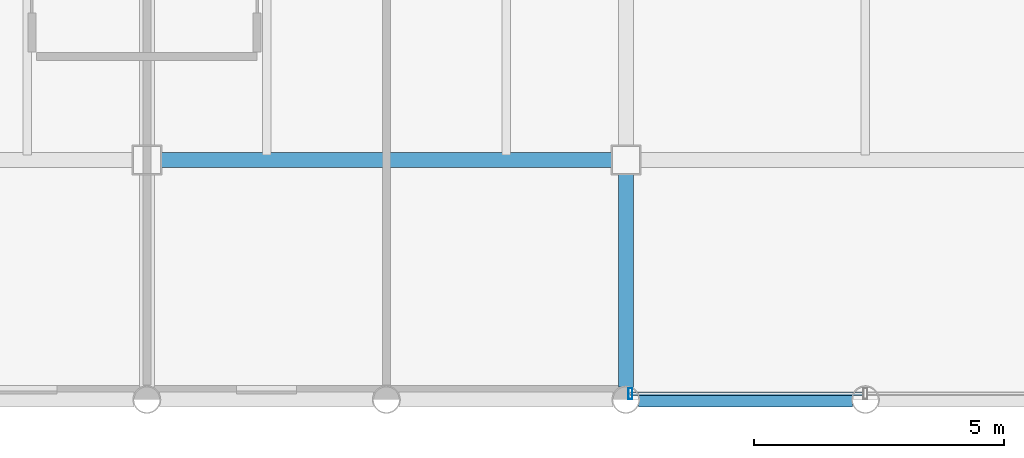
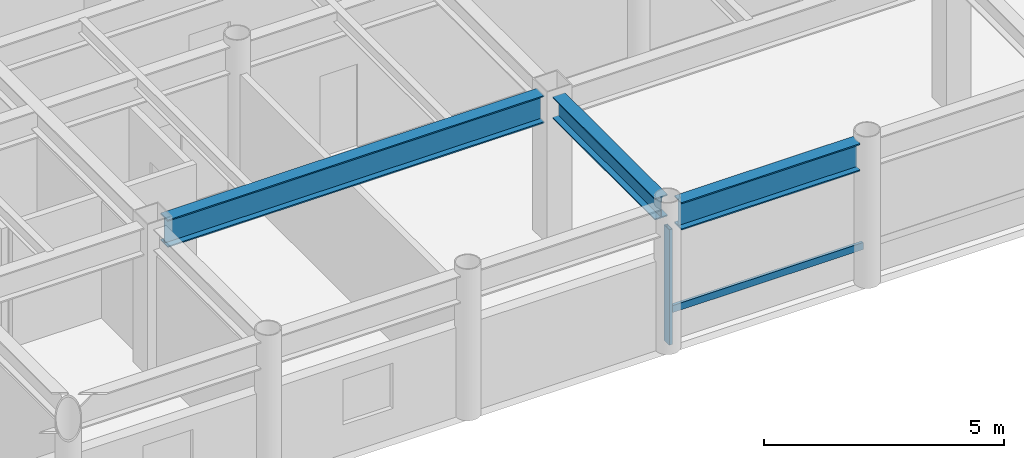
# One storey, part 4 of 22: 3 beams, 2 members, 1 element without a shape of its own.
"""IFC4 building model written with IfcOpenShell, lengths in metres."""

from ifc_helpers import new_model, si_unit, direction, frame, origin, origin_2d, place, context, subcontext, project, spatial, hollow_rectangle, i_section, extrude, material, layer, layer_set, material_profile, profile_set, type_object, element, aggregate, save


model = new_model("IFC4")

# Units and contexts
model_context = context("Model", 3, precision=1e-05, world=origin(), true_north=direction((0.0, 1.0)))
body_context = subcontext(model_context, "Body", "Model", "MODEL_VIEW")
ifc_project = project(units=[si_unit("LENGTHUNIT", "METRE"), si_unit("AREAUNIT", "SQUARE_METRE"), si_unit("VOLUMEUNIT", "CUBIC_METRE"), si_unit("PLANEANGLEUNIT", "RADIAN"), si_unit("MASSUNIT", "GRAM", prefix="KILO")], contexts=[model_context])

# Site, building, storey
site_placement = place(None, origin())
site = spatial("IfcSite", under=ifc_project, at=site_placement, CompositionType="ELEMENT")
building_placement = place(site_placement, origin())
building = spatial("IfcBuilding", under=site, at=building_placement, Name="Kallvorn Hotel Tower", CompositionType="ELEMENT")
storey_placement = place(building_placement, frame((0.0, 0.0, 264.64990234375)))
storey = spatial("IfcBuildingStorey", under=building, at=storey_placement, Name="L66", CompositionType="ELEMENT", Elevation=264.64990234375)

# Beams
ifc_material_1 = material(Name="Structural steel S355JR", Category="steel")
ifc_material_profile_1 = material_profile(ifc_material_1, i_section(OverallWidth=0.300048828125, OverallDepth=0.550048828125, WebThickness=0.014892578125, FlangeThickness=0.029052734375, at=origin_2d()), Name="HE 550 B")
ifc_profile_set_1 = profile_set([ifc_material_profile_1], Name="Structural steel S355JR")
beam_type_1 = type_object("IfcBeamType", Name="BM_HE550B", PredefinedType="SPANDREL", material=ifc_profile_set_1)
beam_1_placement = place(storey_placement, frame((-4.800048828125, -18.945556640625, 3.39501953125), z_axis=(0.0, 1.0, 0.0), x_axis=(-1.0, 0.0, 0.0)))
element("IfcBeam", 1, at=beam_1_placement, inside=storey, type_object=beam_type_1, Name="L67 Primary Y-Girder 106", PredefinedType="SPANDREL", context=body_context, shape_type="SweptSolid", body=[
    extrude(i_section(OverallWidth=0.300048828125, OverallDepth=0.550048828125, WebThickness=0.014892578125, FlangeThickness=0.029052734375, at=origin_2d()), origin(), (0.0, 0.0, 1.0), 4.2705078125),
])
ifc_material_2 = material(Name="Structural steel S355JR", Category="steel")
ifc_material_profile_2 = material_profile(ifc_material_2, i_section(OverallWidth=0.300048828125, OverallDepth=0.699951171875, WebThickness=0.01708984375, FlangeThickness=0.031982421875, at=origin_2d()), Name="HE 700 B")
ifc_profile_set_2 = profile_set([ifc_material_profile_2], Name="Structural steel S355JR")
beam_type_2 = type_object("IfcBeamType", Name="BM_HE700B", PredefinedType="BEAM", material=ifc_profile_set_2)
beam_2_placement = place(storey_placement, frame((-4.54541015625, -19.199951171875, 3.320068359375), z_axis=(1.0, 0.0, 0.0), x_axis=(0.0, 1.0, 0.0)))
element("IfcBeam", 2, at=beam_2_placement, inside=storey, type_object=beam_type_2, Name="L67 Primary X-Girder 06", PredefinedType="BEAM", context=body_context, shape_type="SweptSolid", body=[
    extrude(i_section(OverallWidth=0.300048828125, OverallDepth=0.699951171875, WebThickness=0.01708984375, FlangeThickness=0.031982421875, at=origin_2d()), origin(), (0.0, 0.0, 1.0), 4.291015625),
])
beam_3_placement = place(storey_placement, frame((-14.125, -14.39990234375, 3.320068359375), z_axis=(1.0, 0.0, 0.0), x_axis=(0.0, 1.0, 0.0)))
element("IfcBeam", 3, at=beam_3_placement, inside=storey, type_object=beam_type_2, Name="L67 Primary X-Girder 17", PredefinedType="BEAM", context=body_context, shape_type="SweptSolid", body=[
    extrude(i_section(OverallWidth=0.300048828125, OverallDepth=0.699951171875, WebThickness=0.01708984375, FlangeThickness=0.031982421875, at=origin_2d()), origin(), (0.0, 0.0, 1.0), 9.050048828125),
])

# Curtain wall, members
ifc_material_3 = material(Name="Thermally broken black-anodised aluminium AA 6063-T6", Category="aluminium")
ifc_layer = layer(ifc_material_3, 0.22998046875)
ifc_layer_set = layer_set([ifc_layer], Name="CW_SYS_5_HOTEL_HIGH")
curtain_wall_type = type_object("IfcCurtainWallType", Name="CW_SYS_5_HOTEL_HIGH", PredefinedType="USERDEFINED", material=ifc_layer_set)
curtain_wall_placement = place(storey_placement, origin())
curtain_wall = element("IfcCurtainWall", 4, at=curtain_wall_placement, inside=storey, type_object=curtain_wall_type, Name="L66 Dark-Glass Curtain Wall CW-L66-SC", ObjectType="UNITISED CURTAIN WALL", PredefinedType="USERDEFINED")
ifc_material_4 = material(Name="Thermally broken black-anodised aluminium AA 6063-T6", Category="aluminium")
ifc_material_profile_3 = material_profile(ifc_material_4, hollow_rectangle(XDim=0.080078125, YDim=0.219970703125, WallThickness=0.0048828125, at=origin_2d()), Name="MUL 220x80")
ifc_profile_set_3 = profile_set([ifc_material_profile_3], Name="Thermally broken black-anodised aluminium AA 6063-T6")
member_type_1 = type_object("IfcMemberType", Name="CW_MULLION_220x80", PredefinedType="MULLION", material=ifc_profile_set_3)
member_1_placement = place(storey_placement, frame((-4.7099609375, -19.080078125, 0.02001953125), z_axis=(0.0, 0.0, 1.0), x_axis=(1.0, 0.0, 0.0)))
member_1 = element("IfcMember", 5, at=member_1_placement, type_object=member_type_1, Name="CW-L66-SC Mullion 00", PredefinedType="MULLION", context=body_context, shape_type="SweptSolid", body=[
    extrude(hollow_rectangle(XDim=0.080078125, YDim=0.219970703125, WallThickness=0.0048828125, at=origin_2d()), origin(), (0.0, 0.0, 1.0), 2.93017578125),
])
ifc_material_5 = material(Name="Thermally broken black-anodised aluminium AA 6063-T6", Category="aluminium")
ifc_material_profile_4 = material_profile(ifc_material_5, hollow_rectangle(XDim=0.070068359375, YDim=0.179931640625, WallThickness=0.00390625, at=origin_2d()), Name="TRN 180x70")
ifc_profile_set_4 = profile_set([ifc_material_profile_4], Name="Thermally broken black-anodised aluminium AA 6063-T6")
member_type_2 = type_object("IfcMemberType", Name="CW_TRANSOM_180x70", PredefinedType="USERDEFINED", material=ifc_profile_set_4)
member_2_placement = place(storey_placement, frame((-4.7099609375, -19.080078125, 0.85009765625), z_axis=(1.0, 0.0, 0.0), x_axis=(0.0, 1.0, 0.0)))
member_2 = element("IfcMember", 6, at=member_2_placement, type_object=member_type_2, Name="CW-L66-SC Transom 00M", ObjectType="TRANSOM", PredefinedType="USERDEFINED", context=body_context, shape_type="SweptSolid", body=[
    extrude(hollow_rectangle(XDim=0.070068359375, YDim=0.179931640625, WallThickness=0.00390625, at=origin_2d()), origin(), (0.0, 0.0, 1.0), 4.669921875),
])
aggregate(curtain_wall, [member_1, member_2])

save(model, "model.ifc")
